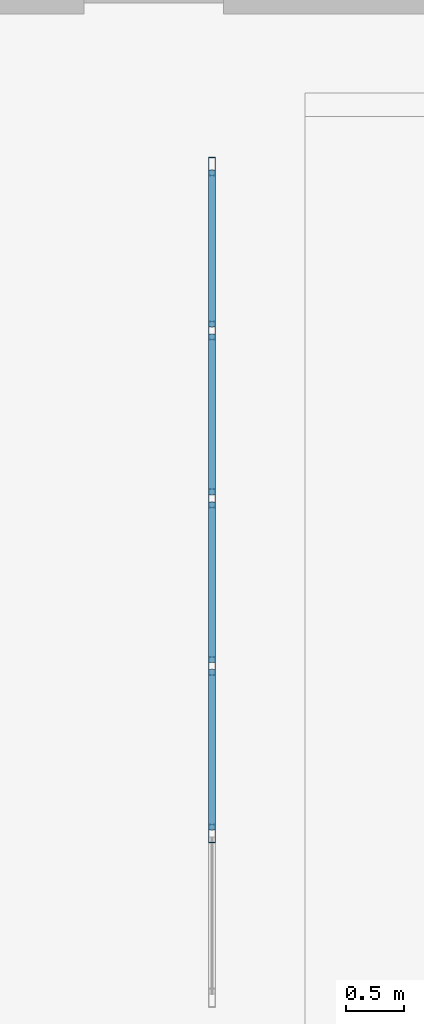
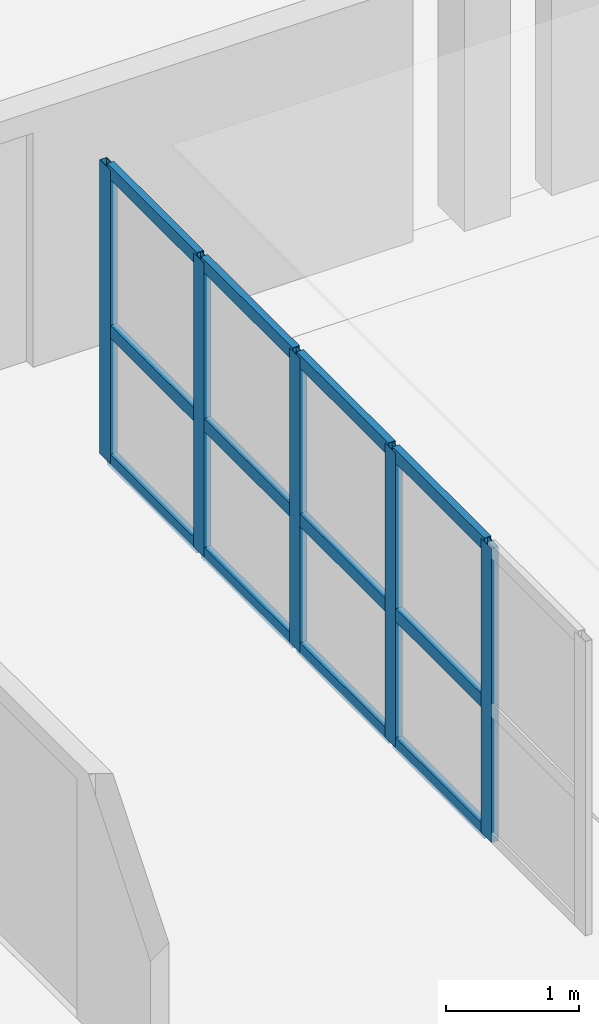
# One storey, part 14 of 30: 17 members, 1 element without a shape of its own.
"""IFC4 building model written with IfcOpenShell, lengths in metres."""

from ifc_helpers import new_model, si_unit, direction, frame, origin, origin_2d, place, context, subcontext, project, spatial, hollow_rectangle, extrude, material, layer, layer_set, material_profile, profile_set, type_object, element, aggregate, save


model = new_model("IFC4")

# Units and contexts
model_context = context("Model", 3, precision=1e-05, world=origin(), true_north=direction((0.0, 1.0)))
body_context = subcontext(model_context, "Body", "Model", "MODEL_VIEW")
ifc_project = project(units=[si_unit("LENGTHUNIT", "METRE"), si_unit("AREAUNIT", "SQUARE_METRE"), si_unit("VOLUMEUNIT", "CUBIC_METRE"), si_unit("PLANEANGLEUNIT", "RADIAN"), si_unit("MASSUNIT", "GRAM", prefix="KILO")], contexts=[model_context])

# Site, building, storey
site_placement = place(None, origin())
site = spatial("IfcSite", under=ifc_project, at=site_placement, CompositionType="ELEMENT")
building_placement = place(site_placement, origin())
building = spatial("IfcBuilding", under=site, at=building_placement, Name="Ornek Quay Market", CompositionType="ELEMENT")
storey_placement = place(building_placement, frame((0.0, 0.0, 12.0)))
storey = spatial("IfcBuildingStorey", under=building, at=storey_placement, Name="L03", CompositionType="ELEMENT", Elevation=12.0)

# Curtain wall, members
ifc_material_1 = material(Name="Anodised bronze aluminium and triple low-e glass", Category="aluminium")
ifc_layer = layer(ifc_material_1, 0.139892578125, Name="Anodised bronze aluminium and triple low-e glass", Category="aluminium")
ifc_layer_set = layer_set([ifc_layer], Name="Anodised bronze aluminium and triple low-e glass")
curtain_wall_type = type_object("IfcCurtainWallType", Name="CW-GALLERY-INT", PredefinedType="USERDEFINED", material=ifc_layer_set)
curtain_wall_placement = place(storey_placement, origin())
curtain_wall = element("IfcCurtainWall", 1, at=curtain_wall_placement, inside=storey, type_object=curtain_wall_type, Name="Curtain wall CW-174", ObjectType="CURTAIN WALL", PredefinedType="USERDEFINED")
ifc_material_2 = material(Name="Anodised aluminium 6063-T6", Category="aluminium")
ifc_material_profile_1 = material_profile(ifc_material_2, hollow_rectangle(XDim=0.06005859375, YDim=0.159912109375, WallThickness=0.00390625, at=origin_2d()), Name="CW-MUL-60x160", Category="aluminium")
ifc_profile_set_1 = profile_set([ifc_material_profile_1], Name="Anodised aluminium 6063-T6")
member_type_1 = type_object("IfcMemberType", Name="CW-MUL-60x160", PredefinedType="MULLION", material=ifc_profile_set_1)
member_1_placement = place(storey_placement, frame((167.0, 57.840087890625, 0.0), z_axis=(0.0, 0.0, 1.0), x_axis=(-1.0, 0.0, 0.0)))
member_1 = element("IfcMember", 2, at=member_1_placement, type_object=member_type_1, Name="CW-174 mullion 2", PredefinedType="MULLION", context=body_context, shape_type="SweptSolid", body=[
    extrude(hollow_rectangle(XDim=0.06005859375, YDim=0.159912109375, WallThickness=0.00390625, at=origin_2d()), origin(), (0.0, 0.0, 1.0), 2.699951171875),
])
member_2_placement = place(storey_placement, frame((167.0, 59.280029296875, 0.0), z_axis=(0.0, 0.0, 1.0), x_axis=(-1.0, 0.0, 0.0)))
member_2 = element("IfcMember", 3, at=member_2_placement, type_object=member_type_1, Name="CW-174 mullion 3", PredefinedType="MULLION", context=body_context, shape_type="SweptSolid", body=[
    extrude(hollow_rectangle(XDim=0.06005859375, YDim=0.159912109375, WallThickness=0.00390625, at=origin_2d()), origin(), (0.0, 0.0, 1.0), 2.699951171875),
])
member_3_placement = place(storey_placement, frame((167.0, 60.719970703125, 0.0), z_axis=(0.0, 0.0, 1.0), x_axis=(-1.0, 0.0, 0.0)))
member_3 = element("IfcMember", 4, at=member_3_placement, type_object=member_type_1, Name="CW-174 mullion 4", PredefinedType="MULLION", context=body_context, shape_type="SweptSolid", body=[
    extrude(hollow_rectangle(XDim=0.06005859375, YDim=0.159912109375, WallThickness=0.00390625, at=origin_2d()), origin(), (0.0, 0.0, 1.0), 2.699951171875),
])
member_4_placement = place(storey_placement, frame((167.0, 62.159912109375, 0.0), z_axis=(0.0, 0.0, 1.0), x_axis=(-1.0, 0.0, 0.0)))
member_4 = element("IfcMember", 5, at=member_4_placement, type_object=member_type_1, Name="CW-174 mullion 5", PredefinedType="MULLION", context=body_context, shape_type="SweptSolid", body=[
    extrude(hollow_rectangle(XDim=0.06005859375, YDim=0.159912109375, WallThickness=0.00390625, at=origin_2d()), origin(), (0.0, 0.0, 1.0), 2.699951171875),
])
member_5_placement = place(storey_placement, frame((167.0, 63.570068359375, 0.0), z_axis=(0.0, 0.0, 1.0), x_axis=(-1.0, 0.0, 0.0)))
member_5 = element("IfcMember", 6, at=member_5_placement, type_object=member_type_1, Name="CW-174 mullion 6", PredefinedType="MULLION", context=body_context, shape_type="SweptSolid", body=[
    extrude(hollow_rectangle(XDim=0.06005859375, YDim=0.159912109375, WallThickness=0.00390625, at=origin_2d()), origin(), (0.0, 0.0, 1.0), 2.699951171875),
])
ifc_material_profile_2 = material_profile(ifc_material_2, hollow_rectangle(XDim=0.06005859375, YDim=0.1201171875, WallThickness=0.00390625, at=origin_2d()), Name="CW-TRN-60x120", Category="aluminium")
ifc_profile_set_2 = profile_set([ifc_material_profile_2], Name="Anodised aluminium 6063-T6")
member_type_2 = type_object("IfcMemberType", Name="CW-TRN-60x120", PredefinedType="USERDEFINED", material=ifc_profile_set_2)
member_6_placement = place(storey_placement, frame((167.0, 57.8701171875, 0.030029296875), z_axis=(0.0, 1.0, 0.0), x_axis=(-1.0, 0.0, 0.0)))
member_6 = element("IfcMember", 7, at=member_6_placement, type_object=member_type_2, Name="CW-174 transom 2.1", ObjectType="TRANSOM", PredefinedType="USERDEFINED", context=body_context, shape_type="SweptSolid", body=[
    extrude(hollow_rectangle(XDim=0.06005859375, YDim=0.1201171875, WallThickness=0.00390625, at=origin_2d()), origin(), (0.0, 0.0, 1.0), 1.3798828125),
])
member_7_placement = place(storey_placement, frame((167.0, 57.8701171875, 1.215087890625), z_axis=(0.0, 1.0, 0.0), x_axis=(-1.0, 0.0, 0.0)))
member_7 = element("IfcMember", 8, at=member_7_placement, type_object=member_type_2, Name="CW-174 transom 2.2", ObjectType="TRANSOM", PredefinedType="USERDEFINED", context=body_context, shape_type="SweptSolid", body=[
    extrude(hollow_rectangle(XDim=0.06005859375, YDim=0.1201171875, WallThickness=0.00390625, at=origin_2d()), origin(), (0.0, 0.0, 1.0), 1.3798828125),
])
member_8_placement = place(storey_placement, frame((167.0, 57.8701171875, 2.669921875), z_axis=(0.0, 1.0, 0.0), x_axis=(-1.0, 0.0, 0.0)))
member_8 = element("IfcMember", 9, at=member_8_placement, type_object=member_type_2, Name="CW-174 transom 2.3", ObjectType="TRANSOM", PredefinedType="USERDEFINED", context=body_context, shape_type="SweptSolid", body=[
    extrude(hollow_rectangle(XDim=0.06005859375, YDim=0.1201171875, WallThickness=0.00390625, at=origin_2d()), origin(), (0.0, 0.0, 1.0), 1.3798828125),
])
member_9_placement = place(storey_placement, frame((167.0, 59.31005859375, 0.030029296875), z_axis=(0.0, 1.0, 0.0), x_axis=(-1.0, 0.0, 0.0)))
member_9 = element("IfcMember", 10, at=member_9_placement, type_object=member_type_2, Name="CW-174 transom 3.1", ObjectType="TRANSOM", PredefinedType="USERDEFINED", context=body_context, shape_type="SweptSolid", body=[
    extrude(hollow_rectangle(XDim=0.06005859375, YDim=0.1201171875, WallThickness=0.00390625, at=origin_2d()), origin(), (0.0, 0.0, 1.0), 1.3798828125),
])
member_10_placement = place(storey_placement, frame((167.0, 59.31005859375, 1.215087890625), z_axis=(0.0, 1.0, 0.0), x_axis=(-1.0, 0.0, 0.0)))
member_10 = element("IfcMember", 11, at=member_10_placement, type_object=member_type_2, Name="CW-174 transom 3.2", ObjectType="TRANSOM", PredefinedType="USERDEFINED", context=body_context, shape_type="SweptSolid", body=[
    extrude(hollow_rectangle(XDim=0.06005859375, YDim=0.1201171875, WallThickness=0.00390625, at=origin_2d()), origin(), (0.0, 0.0, 1.0), 1.3798828125),
])
member_11_placement = place(storey_placement, frame((167.0, 59.31005859375, 2.669921875), z_axis=(0.0, 1.0, 0.0), x_axis=(-1.0, 0.0, 0.0)))
member_11 = element("IfcMember", 12, at=member_11_placement, type_object=member_type_2, Name="CW-174 transom 3.3", ObjectType="TRANSOM", PredefinedType="USERDEFINED", context=body_context, shape_type="SweptSolid", body=[
    extrude(hollow_rectangle(XDim=0.06005859375, YDim=0.1201171875, WallThickness=0.00390625, at=origin_2d()), origin(), (0.0, 0.0, 1.0), 1.3798828125),
])
member_12_placement = place(storey_placement, frame((167.0, 60.75, 0.030029296875), z_axis=(0.0, 1.0, 0.0), x_axis=(-1.0, 0.0, 0.0)))
member_12 = element("IfcMember", 13, at=member_12_placement, type_object=member_type_2, Name="CW-174 transom 4.1", ObjectType="TRANSOM", PredefinedType="USERDEFINED", context=body_context, shape_type="SweptSolid", body=[
    extrude(hollow_rectangle(XDim=0.06005859375, YDim=0.1201171875, WallThickness=0.00390625, at=origin_2d()), origin(), (0.0, 0.0, 1.0), 1.3798828125),
])
member_13_placement = place(storey_placement, frame((167.0, 60.75, 1.215087890625), z_axis=(0.0, 1.0, 0.0), x_axis=(-1.0, 0.0, 0.0)))
member_13 = element("IfcMember", 14, at=member_13_placement, type_object=member_type_2, Name="CW-174 transom 4.2", ObjectType="TRANSOM", PredefinedType="USERDEFINED", context=body_context, shape_type="SweptSolid", body=[
    extrude(hollow_rectangle(XDim=0.06005859375, YDim=0.1201171875, WallThickness=0.00390625, at=origin_2d()), origin(), (0.0, 0.0, 1.0), 1.3798828125),
])
member_14_placement = place(storey_placement, frame((167.0, 60.75, 2.669921875), z_axis=(0.0, 1.0, 0.0), x_axis=(-1.0, 0.0, 0.0)))
member_14 = element("IfcMember", 15, at=member_14_placement, type_object=member_type_2, Name="CW-174 transom 4.3", ObjectType="TRANSOM", PredefinedType="USERDEFINED", context=body_context, shape_type="SweptSolid", body=[
    extrude(hollow_rectangle(XDim=0.06005859375, YDim=0.1201171875, WallThickness=0.00390625, at=origin_2d()), origin(), (0.0, 0.0, 1.0), 1.3798828125),
])
member_15_placement = place(storey_placement, frame((167.0, 62.18994140625, 0.030029296875), z_axis=(0.0, 1.0, 0.0), x_axis=(-1.0, 0.0, 0.0)))
member_15 = element("IfcMember", 16, at=member_15_placement, type_object=member_type_2, Name="CW-174 transom 5.1", ObjectType="TRANSOM", PredefinedType="USERDEFINED", context=body_context, shape_type="SweptSolid", body=[
    extrude(hollow_rectangle(XDim=0.06005859375, YDim=0.1201171875, WallThickness=0.00390625, at=origin_2d()), origin(), (0.0, 0.0, 1.0), 1.35009765625),
])
member_16_placement = place(storey_placement, frame((167.0, 62.18994140625, 1.215087890625), z_axis=(0.0, 1.0, 0.0), x_axis=(-1.0, 0.0, 0.0)))
member_16 = element("IfcMember", 17, at=member_16_placement, type_object=member_type_2, Name="CW-174 transom 5.2", ObjectType="TRANSOM", PredefinedType="USERDEFINED", context=body_context, shape_type="SweptSolid", body=[
    extrude(hollow_rectangle(XDim=0.06005859375, YDim=0.1201171875, WallThickness=0.00390625, at=origin_2d()), origin(), (0.0, 0.0, 1.0), 1.35009765625),
])
member_17_placement = place(storey_placement, frame((167.0, 62.18994140625, 2.669921875), z_axis=(0.0, 1.0, 0.0), x_axis=(-1.0, 0.0, 0.0)))
member_17 = element("IfcMember", 18, at=member_17_placement, type_object=member_type_2, Name="CW-174 transom 5.3", ObjectType="TRANSOM", PredefinedType="USERDEFINED", context=body_context, shape_type="SweptSolid", body=[
    extrude(hollow_rectangle(XDim=0.06005859375, YDim=0.1201171875, WallThickness=0.00390625, at=origin_2d()), origin(), (0.0, 0.0, 1.0), 1.35009765625),
])
aggregate(curtain_wall, [member_1, member_2, member_3, member_4, member_5, member_6, member_7, member_8, member_9, member_10, member_11, member_12, member_13, member_14, member_15, member_16, member_17])

save(model, "model.ifc")
